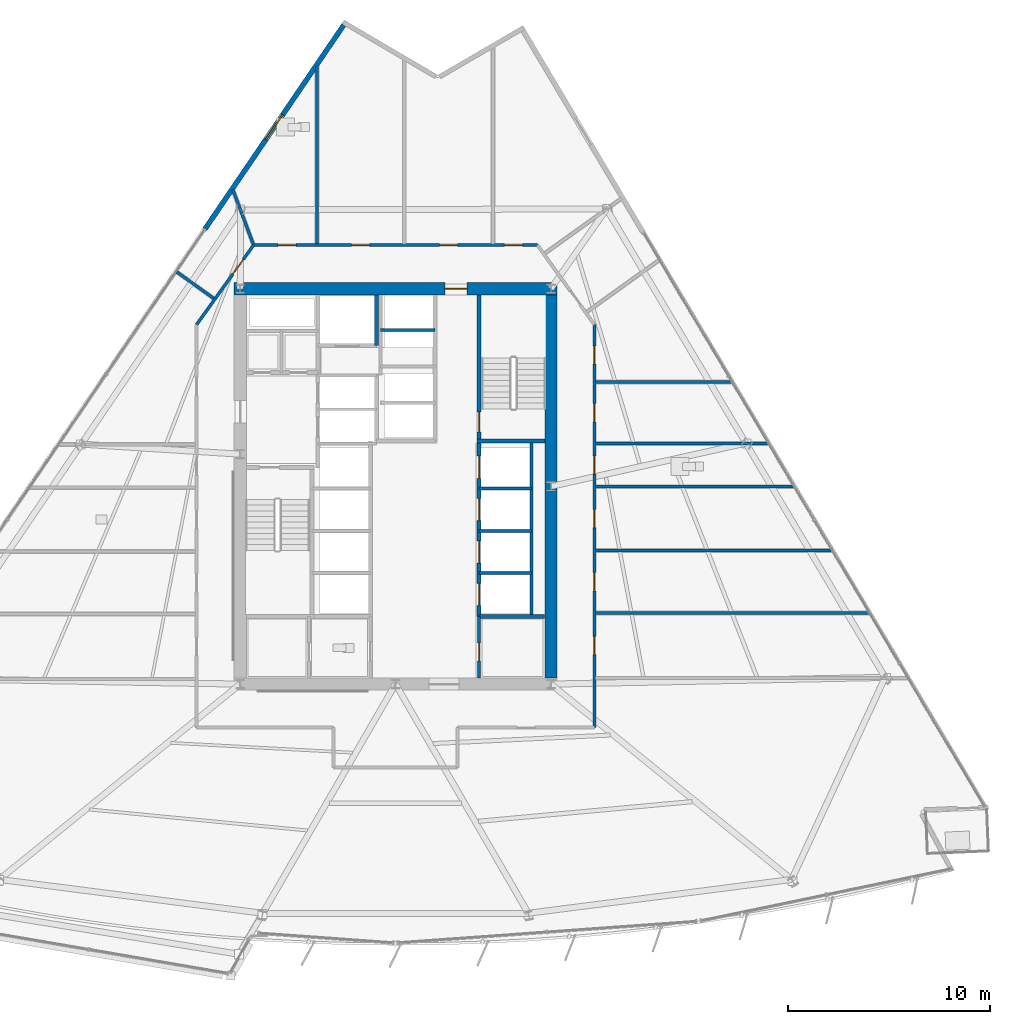
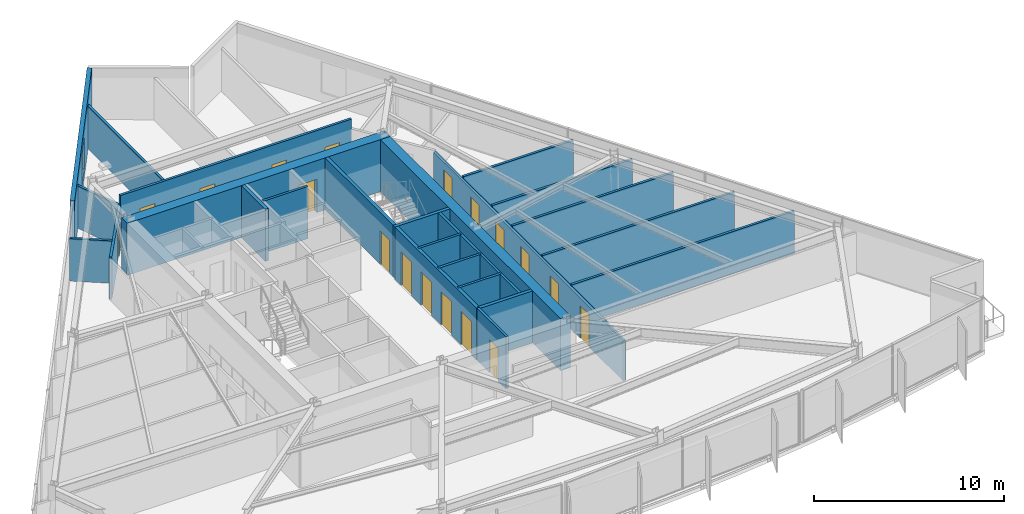
# One storey, part 10 of 17: 25 walls, 18 doors, 1 window, 19 openings.
"""IFC4 building model written with IfcOpenShell, lengths in metres."""

from ifc_helpers import new_model, si_unit, direction, frame, frame_2d, origin, place, context, subcontext, project, spatial, rectangle, extrude, material, layer, layer_set, type_object, element, fill, save


model = new_model("IFC4")

# Units and contexts
model_context = context("Model", 3, precision=1e-05, world=origin(), true_north=direction((0.0, 1.0)))
body_context = subcontext(model_context, "Body", "Model", "MODEL_VIEW")
ifc_project = project(units=[si_unit("LENGTHUNIT", "METRE"), si_unit("AREAUNIT", "SQUARE_METRE"), si_unit("VOLUMEUNIT", "CUBIC_METRE"), si_unit("PLANEANGLEUNIT", "RADIAN"), si_unit("MASSUNIT", "GRAM", prefix="KILO")], contexts=[model_context])

# Site, building, storey
site_placement = place(None, origin())
site = spatial("IfcSite", under=ifc_project, at=site_placement, CompositionType="ELEMENT")
building_placement = place(site_placement, origin())
building = spatial("IfcBuilding", under=site, at=building_placement, Name="Savorim Split Tower", CompositionType="ELEMENT")
storey_placement = place(building_placement, frame((0.0, 0.0, 58.800048828125)))
storey = spatial("IfcBuildingStorey", under=building, at=storey_placement, Name="L15", CompositionType="ELEMENT", Elevation=58.800048828125)

# Wall, opening, door
ifc_material_1 = material(Name="Concrete C60/75", Category="concrete")
ifc_layer_1 = layer(ifc_material_1, 0.60009765625)
ifc_layer_set_1 = layer_set([ifc_layer_1], Name="WAL-COR-SH600")
wall_type_1 = type_object("IfcWallType", Name="WAL-COR-SH600", PredefinedType="SHEAR", material=ifc_layer_set_1)
wall_1_placement = place(storey_placement, frame((8.0, 10.199951171875, 0.0), z_axis=(0.0, 0.0, 1.0), x_axis=(-1.0, 0.0, 0.0)))
wall_1 = element("IfcWall", 1, at=wall_1_placement, inside=storey, type_object=wall_type_1, Name="L15 Offset Core North Shear Wall", PredefinedType="SHEAR", context=body_context, shape_type="SweptSolid", body=[
    extrude(rectangle(XDim=16.0, YDim=0.60009765625, at=frame_2d((8.0, 0.0))), origin(), (0.0, 0.0, 1.0), 3.349853515625),
])
opening_1_placement = place(wall_1_placement, frame((4.449951171875, 0.0, 0.0)))
opening_1 = element("IfcOpeningElement", 2, at=opening_1_placement, cuts=wall_1, Name="Opening DI-03", PredefinedType="OPENING", context=body_context, shape_type="SweptSolid", body=[
    extrude(rectangle(XDim=1.10009765625, YDim=2.14990234375, at=frame_2d((0.550048828125, 1.074951171875))), frame((0.0, 0.31005859375, 0.0), z_axis=(0.0, -1.0, 0.0), x_axis=(1.0, 0.0, 0.0)), (0.0, 0.0, 1.0), 0.6201171875),
])
ifc_material_2 = material(Name="Timber Fire Door Leaf", Category="wood")
door_type_1 = type_object("IfcDoorType", Name="DOR-FIR-1100", OperationType="NOTDEFINED", PredefinedType="DOOR", material=ifc_material_2)
door_1_placement = place(opening_1_placement, origin())
door_1 = element("IfcDoor", 3, at=door_1_placement, inside=storey, type_object=door_type_1, Name="DOR-L15-COR-NLOB - L15 North Corridor Lobby Fire Door", OperationType="SINGLE_SWING_RIGHT", OverallHeight=2.14990234375, OverallWidth=1.10009765625, PredefinedType="DOOR", context=body_context, shape_type="SweptSolid", body=[
    extrude(rectangle(XDim=1.10009765625, YDim=2.14990234375, at=frame_2d((0.550048828125, 1.074951171875))), frame((0.0, 0.02490234375, 0.0), z_axis=(0.0, -1.0, 0.0), x_axis=(1.0, 0.0, 0.0)), (0.0, 0.0, 1.0), 0.050048828125),
])
fill(opening_1, door_1)

# Wall
wall_2_placement = place(storey_placement, frame((7.699951171875, 9.89990234375, 0.0), z_axis=(0.0, 0.0, 1.0), x_axis=(0.0, -1.0, 0.0)))
element("IfcWall", 4, at=wall_2_placement, inside=storey, type_object=wall_type_1, Name="L15 Offset Core East Shear Wall", PredefinedType="SHEAR", context=body_context, shape_type="SweptSolid", body=[
    extrude(rectangle(XDim=19.0, YDim=0.60009765625, at=frame_2d((9.5, 0.0))), origin(), (0.0, 0.0, 1.0), 3.349853515625),
])

# Wall, opening, window
ifc_material_3 = material(Name="Precast concrete C40/50", Category="concrete")
ifc_layer_2 = layer(ifc_material_3, 0.25)
ifc_layer_set_2 = layer_set([ifc_layer_2], Name="WAL-EXT-SPN250")
wall_type_2 = type_object("IfcWallType", Name="WAL-EXT-SPN250", PredefinedType="SOLIDWALL", material=ifc_layer_set_2)
wall_3_placement = place(storey_placement, frame((-9.45068359375, 13.163330078125, 0.0), z_axis=(0.0, 0.0, 1.0), x_axis=(0.562478152622, 0.826812147844, 0.0)))
wall_3 = element("IfcWall", 5, at=wall_3_placement, inside=storey, type_object=wall_type_2, Name="L15 West Operable Window Pier", PredefinedType="SOLIDWALL", context=body_context, shape_type="SweptSolid", body=[
    extrude(rectangle(XDim=12.232177734375, YDim=0.25, at=frame_2d((6.1162109375, 0.0))), origin(), (0.0, 0.0, 1.0), 3.349853515625),
])
opening_2_placement = place(wall_3_placement, frame((5.3662109375, 0.0, 0.6201171875)))
opening_2 = element("IfcOpeningElement", 6, at=opening_2_placement, cuts=wall_3, Name="Opening WN-06", PredefinedType="OPENING", context=body_context, shape_type="SweptSolid", body=[
    extrude(rectangle(XDim=1.5, YDim=2.0, at=frame_2d((0.75, 1.0))), frame((0.0, 0.135009765625, 0.0), z_axis=(0.0, -1.0, 0.0), x_axis=(1.0, 0.0, 0.0)), (0.0, 0.0, 1.0), 0.27001953125),
])
ifc_material_4 = material(Name="Low-E Operable Double Glazing", Category="glass")
window_type = type_object("IfcWindowType", Name="WIN-TWR-1500x2000", PartitioningType="SINGLE_PANEL", PredefinedType="WINDOW", material=ifc_material_4)
window_placement = place(opening_2_placement, origin())
window = element("IfcWindow", 7, at=window_placement, inside=storey, type_object=window_type, Name="L15 West Operable Ventilation Window", OverallHeight=2.0, OverallWidth=1.5, PartitioningType="SINGLE_PANEL", PredefinedType="WINDOW", context=body_context, shape_type="SweptSolid", body=[
    extrude(rectangle(XDim=1.5, YDim=2.0, at=frame_2d((0.75, 1.0))), frame((0.0, 0.030029296875, 0.0), z_axis=(0.0, -1.0, 0.0), x_axis=(1.0, 0.0, 0.0)), (0.0, 0.0, 1.0), 0.06005859375),
])
fill(opening_2, window)

# Wall, opening, door
ifc_material_5 = material(Name="Concrete C50/60", Category="concrete")
ifc_layer_3 = layer(ifc_material_5, 0.199951171875)
ifc_layer_set_3 = layer_set([ifc_layer_3], Name="WAL-INT-RC200")
wall_type_3 = type_object("IfcWallType", Name="WAL-INT-RC200", PredefinedType="SOLIDWALL", material=ifc_layer_set_3)
wall_4_placement = place(storey_placement, frame((4.14990234375, 2.75, 0.0), z_axis=(0.0, 0.0, 1.0), x_axis=(0.0, 1.0, 0.0)))
wall_4 = element("IfcWall", 8, at=wall_4_placement, inside=storey, type_object=wall_type_3, Name="L15 Structural Shaft Wall W-L15-CR07", PredefinedType="SOLIDWALL", context=body_context, shape_type="SweptSolid", body=[
    extrude(rectangle(XDim=7.14990234375, YDim=0.199951171875, at=frame_2d((3.574951171875, 0.0))), origin(), (0.0, 0.0, 1.0), 3.349853515625),
])
opening_3_placement = place(wall_4_placement, frame((0.35009765625, 0.0, 0.0)))
opening_3 = element("IfcOpeningElement", 9, at=opening_3_placement, cuts=wall_4, Name="Opening DI-04", PredefinedType="OPENING", context=body_context, shape_type="SweptSolid", body=[
    extrude(rectangle(XDim=1.0, YDim=2.14990234375, at=frame_2d((0.5, 1.074951171875))), frame((0.0, 0.10986328125, 0.0), z_axis=(0.0, -1.0, 0.0), x_axis=(1.0, 0.0, 0.0)), (0.0, 0.0, 1.0), 0.219970703125),
])
door_type_2 = type_object("IfcDoorType", Name="DOR-FIR-1000", OperationType="NOTDEFINED", PredefinedType="DOOR", material=ifc_material_2)
door_2_placement = place(opening_3_placement, origin())
door_2 = element("IfcDoor", 10, at=door_2_placement, inside=storey, type_object=door_type_2, Name="DR-L15-ST2 - L15 Stair ST-2 Enclosure Door", OperationType="SINGLE_SWING_RIGHT", OverallHeight=2.14990234375, OverallWidth=1.0, PredefinedType="DOOR", context=body_context, shape_type="SweptSolid", body=[
    extrude(rectangle(XDim=1.0, YDim=2.14990234375, at=frame_2d((0.5, 1.074951171875))), frame((0.0, 0.02490234375, 0.0), z_axis=(0.0, -1.0, 0.0), x_axis=(1.0, 0.0, 0.0)), (0.0, 0.0, 1.0), 0.050048828125),
])
fill(opening_3, door_2)

# Walls
wall_5_placement = place(storey_placement, frame((4.050048828125, 2.64990234375, 0.0), z_axis=(0.0, 0.0, 1.0), x_axis=(1.0, 0.0, 0.0)))
element("IfcWall", 11, at=wall_5_placement, inside=storey, type_object=wall_type_3, Name="L15 Structural Shaft Wall W-L15-CR08", PredefinedType="SOLIDWALL", context=body_context, shape_type="SweptSolid", body=[
    extrude(rectangle(XDim=3.349853515625, YDim=0.199951171875, at=frame_2d((1.6748046875, 0.0))), origin(), (0.0, 0.0, 1.0), 3.349853515625),
])
wall_6_placement = place(storey_placement, frame((-0.949951171875, 7.3798828125, 0.0), z_axis=(0.0, 0.0, 1.0), x_axis=(0.0, 1.0, 0.0)))
element("IfcWall", 12, at=wall_6_placement, inside=storey, type_object=wall_type_3, Name="L15 Partition W-L15-SVLE", PredefinedType="SOLIDWALL", context=body_context, shape_type="SweptSolid", body=[
    extrude(rectangle(XDim=2.51513671875, YDim=0.199951171875, at=frame_2d((1.257568359375, 0.0))), origin(), (0.0, 0.0, 1.0), 3.349853515625),
])

# Wall, openings, doors
wall_7_placement = place(storey_placement, frame((4.14990234375, -6.050048828125, 0.0), z_axis=(0.0, 0.0, 1.0), x_axis=(0.0, 1.0, 0.0)))
wall_7 = element("IfcWall", 13, at=wall_7_placement, inside=storey, type_object=wall_type_3, Name="L15 Partition W-L15-B1FRONT", PredefinedType="SOLIDWALL", context=body_context, shape_type="SweptSolid", body=[
    extrude(rectangle(XDim=8.699951171875, YDim=0.199951171875, at=frame_2d((4.35009765625, 0.0))), origin(), (0.0, 0.0, 1.0), 3.349853515625),
])
opening_4_placement = place(wall_7_placement, frame((0.550048828125, 0.0, 0.0)))
opening_4 = element("IfcOpeningElement", 14, at=opening_4_placement, cuts=wall_7, Name="Opening LD-01", PredefinedType="OPENING", context=body_context, shape_type="SweptSolid", body=[
    extrude(rectangle(XDim=1.10009765625, YDim=2.14990234375, at=frame_2d((0.550048828125, 1.074951171875))), frame((0.0, 0.10986328125, 0.0), z_axis=(0.0, -1.0, 0.0), x_axis=(1.0, 0.0, 0.0)), (0.0, 0.0, 1.0), 0.219970703125),
])
opening_5_placement = place(wall_7_placement, frame((2.64990234375, 0.0, 0.0)))
opening_5 = element("IfcOpeningElement", 15, at=opening_5_placement, cuts=wall_7, Name="Opening LD-01", PredefinedType="OPENING", context=body_context, shape_type="SweptSolid", body=[
    extrude(rectangle(XDim=1.10009765625, YDim=2.14990234375, at=frame_2d((0.550048828125, 1.074951171875))), frame((0.0, 0.10986328125, 0.0), z_axis=(0.0, -1.0, 0.0), x_axis=(1.0, 0.0, 0.0)), (0.0, 0.0, 1.0), 0.219970703125),
])
opening_6_placement = place(wall_7_placement, frame((4.75, 0.0, 0.0)))
opening_6 = element("IfcOpeningElement", 16, at=opening_6_placement, cuts=wall_7, Name="Opening LD-01", PredefinedType="OPENING", context=body_context, shape_type="SweptSolid", body=[
    extrude(rectangle(XDim=1.10009765625, YDim=2.14990234375, at=frame_2d((0.550048828125, 1.074951171875))), frame((0.0, 0.10986328125, 0.0), z_axis=(0.0, -1.0, 0.0), x_axis=(1.0, 0.0, 0.0)), (0.0, 0.0, 1.0), 0.219970703125),
])
opening_7_placement = place(wall_7_placement, frame((6.85009765625, 0.0, 0.0)))
opening_7 = element("IfcOpeningElement", 17, at=opening_7_placement, cuts=wall_7, Name="Opening LD-01", PredefinedType="OPENING", context=body_context, shape_type="SweptSolid", body=[
    extrude(rectangle(XDim=1.10009765625, YDim=2.14990234375, at=frame_2d((0.550048828125, 1.074951171875))), frame((0.0, 0.10986328125, 0.0), z_axis=(0.0, -1.0, 0.0), x_axis=(1.0, 0.0, 0.0)), (0.0, 0.0, 1.0), 0.219970703125),
])
ifc_material_6 = material(Name="Charcoal Anodised Aluminium", Category="aluminium")
door_type_3 = type_object("IfcDoorType", Name="DOR-SLD-LD1100", OperationType="NOTDEFINED", PredefinedType="DOOR", material=ifc_material_6)
door_3_placement = place(opening_4_placement, origin())
door_3 = element("IfcDoor", 18, at=door_3_placement, inside=storey, type_object=door_type_3, Name="DR-L15-LD-PLL1 - L15 Lift PL-L1 Sliding Landing Door", OperationType="DOUBLE_DOOR_SLIDING", OverallHeight=2.14990234375, OverallWidth=1.10009765625, PredefinedType="DOOR", context=body_context, shape_type="SweptSolid", body=[
    extrude(rectangle(XDim=1.10009765625, YDim=2.14990234375, at=frame_2d((0.550048828125, 1.074951171875))), frame((0.0, 0.02490234375, 0.0), z_axis=(0.0, -1.0, 0.0), x_axis=(1.0, 0.0, 0.0)), (0.0, 0.0, 1.0), 0.050048828125),
])
fill(opening_4, door_3)
door_4_placement = place(opening_5_placement, origin())
door_4 = element("IfcDoor", 19, at=door_4_placement, inside=storey, type_object=door_type_3, Name="DR-L15-LD-PLL2 - L15 Lift PL-L2 Sliding Landing Door", OperationType="DOUBLE_DOOR_SLIDING", OverallHeight=2.14990234375, OverallWidth=1.10009765625, PredefinedType="DOOR", context=body_context, shape_type="SweptSolid", body=[
    extrude(rectangle(XDim=1.10009765625, YDim=2.14990234375, at=frame_2d((0.550048828125, 1.074951171875))), frame((0.0, 0.02490234375, 0.0), z_axis=(0.0, -1.0, 0.0), x_axis=(1.0, 0.0, 0.0)), (0.0, 0.0, 1.0), 0.050048828125),
])
fill(opening_5, door_4)
door_5_placement = place(opening_6_placement, origin())
door_5 = element("IfcDoor", 20, at=door_5_placement, inside=storey, type_object=door_type_3, Name="DR-L15-LD-PLL3 - L15 Lift PL-L3 Sliding Landing Door", OperationType="DOUBLE_DOOR_SLIDING", OverallHeight=2.14990234375, OverallWidth=1.10009765625, PredefinedType="DOOR", context=body_context, shape_type="SweptSolid", body=[
    extrude(rectangle(XDim=1.10009765625, YDim=2.14990234375, at=frame_2d((0.550048828125, 1.074951171875))), frame((0.0, 0.02490234375, 0.0), z_axis=(0.0, -1.0, 0.0), x_axis=(1.0, 0.0, 0.0)), (0.0, 0.0, 1.0), 0.050048828125),
])
fill(opening_6, door_5)
door_6_placement = place(opening_7_placement, origin())
door_6 = element("IfcDoor", 21, at=door_6_placement, inside=storey, type_object=door_type_3, Name="DR-L15-LD-PLL4 - L15 Lift PL-L4 Sliding Landing Door", OperationType="DOUBLE_DOOR_SLIDING", OverallHeight=2.14990234375, OverallWidth=1.10009765625, PredefinedType="DOOR", context=body_context, shape_type="SweptSolid", body=[
    extrude(rectangle(XDim=1.10009765625, YDim=2.14990234375, at=frame_2d((0.550048828125, 1.074951171875))), frame((0.0, 0.02490234375, 0.0), z_axis=(0.0, -1.0, 0.0), x_axis=(1.0, 0.0, 0.0)), (0.0, 0.0, 1.0), 0.050048828125),
])
fill(opening_7, door_6)

# Walls
wall_8_placement = place(storey_placement, frame((4.14990234375, -6.050048828125, 0.0), z_axis=(0.0, 0.0, 1.0), x_axis=(1.0, 0.0, 0.0)))
element("IfcWall", 22, at=wall_8_placement, inside=storey, type_object=wall_type_3, Name="L15 Partition W-L15-KSEP-E", PredefinedType="SOLIDWALL", context=body_context, shape_type="SweptSolid", body=[
    extrude(rectangle(XDim=3.2451171875, YDim=0.199951171875, at=frame_2d((1.62255859375, 0.0))), origin(), (0.0, 0.0, 1.0), 3.349853515625),
])
ifc_material_7 = material(Name="Acoustic Gypsum Partition Board")
ifc_layer_4 = layer(ifc_material_7, 0.14990234375)
ifc_layer_set_4 = layer_set([ifc_layer_4], Name="WAL-PAR-150")
wall_type_4 = type_object("IfcWallType", Name="WAL-PAR-150", PredefinedType="PARTITIONING", material=ifc_layer_set_4)
wall_9_placement = place(storey_placement, frame((6.75, -6.050048828125, 0.0), z_axis=(0.0, 0.0, 1.0), x_axis=(0.0, 1.0, 0.0)))
element("IfcWall", 23, at=wall_9_placement, inside=storey, type_object=wall_type_4, Name="L15 Partition W-L15-B1BACK", PredefinedType="PARTITIONING", context=body_context, shape_type="SweptSolid", body=[
    extrude(rectangle(XDim=8.699951171875, YDim=0.14990234375, at=frame_2d((4.35009765625, 0.0))), origin(), (0.0, 0.0, 1.0), 3.349853515625),
])
for number, where, z_axis, x_axis, name in (
    (24, (4.14990234375, -3.89990234375, 0.0), (0.0, 0.0, 1.0), (1.0, 0.0, 0.0), "L15 Partition W-L15-B1DIV1"),
    (25, (4.14990234375, -1.800048828125, 0.0), (0.0, 0.0, 1.0), (1.0, 0.0, 0.0), "L15 Partition W-L15-B1DIV2"),
    (26, (4.14990234375, 0.300048828125, 0.0), (0.0, 0.0, 1.0), (1.0, 0.0, 0.0), "L15 Partition W-L15-B1DIV3"),
):
    element("IfcWall", number, at=place(storey_placement, frame(where, z_axis=z_axis, x_axis=x_axis)), inside=storey, type_object=wall_type_4, Name=name, PredefinedType="PARTITIONING", context=body_context, shape_type="SweptSolid", body=[
        extrude(rectangle(XDim=2.60009765625, YDim=0.14990234375, at=frame_2d((1.300048828125, 0.0))), origin(), (0.0, 0.0, 1.0), 3.349853515625),
    ])
wall_10_placement = place(storey_placement, frame((-0.75, 8.14990234375, 0.0), z_axis=(0.0, 0.0, 1.0), x_axis=(1.0, 0.0, 0.0)))
element("IfcWall", 27, at=wall_10_placement, inside=storey, type_object=wall_type_4, Name="L15 Partition W-L15-B3DIV3", PredefinedType="PARTITIONING", context=body_context, shape_type="SweptSolid", body=[
    extrude(rectangle(XDim=2.699951171875, YDim=0.14990234375, at=frame_2d((1.35009765625, 0.0))), origin(), (0.0, 0.0, 1.0), 3.349853515625),
])

# Wall, opening, door
wall_11_placement = place(storey_placement, frame((4.14990234375, -9.094970703125, 0.0), z_axis=(0.0, 0.0, 1.0), x_axis=(0.0, 1.0, 0.0)))
wall_11 = element("IfcWall", 28, at=wall_11_placement, inside=storey, type_object=wall_type_4, Name="L15 Partition W-L15-KLOB-E", PredefinedType="PARTITIONING", context=body_context, shape_type="SweptSolid", body=[
    extrude(rectangle(XDim=3.044921875, YDim=0.14990234375, at=frame_2d((1.5224609375, 0.0))), origin(), (0.0, 0.0, 1.0), 3.349853515625),
])
opening_8_placement = place(wall_11_placement, frame((0.844970703125, 0.0, 0.0)))
opening_8 = element("IfcOpeningElement", 29, at=opening_8_placement, cuts=wall_11, Name="Opening DI-06", PredefinedType="OPENING", context=body_context, shape_type="SweptSolid", body=[
    extrude(rectangle(XDim=0.89990234375, YDim=2.10009765625, at=frame_2d((0.449951171875, 1.050048828125))), frame((0.0, 0.0849609375, 0.0), z_axis=(0.0, -1.0, 0.0), x_axis=(1.0, 0.0, 0.0)), (0.0, 0.0, 1.0), 0.169921875),
])
door_type_4 = type_object("IfcDoorType", Name="DOR-FIR-900", OperationType="NOTDEFINED", PredefinedType="DOOR", material=ifc_material_2)
door_7_placement = place(opening_8_placement, origin())
door_7 = element("IfcDoor", 30, at=door_7_placement, inside=storey, type_object=door_type_4, Name="DR-L15-K1IT - L15 Core IT Room Door", OperationType="SINGLE_SWING_LEFT", OverallHeight=2.10009765625, OverallWidth=0.89990234375, PredefinedType="DOOR", context=body_context, shape_type="SweptSolid", body=[
    extrude(rectangle(XDim=0.89990234375, YDim=2.10009765625, at=frame_2d((0.449951171875, 1.050048828125))), frame((0.0, 0.02490234375, 0.0), z_axis=(0.0, -1.0, 0.0), x_axis=(1.0, 0.0, 0.0)), (0.0, 0.0, 1.0), 0.050048828125),
])
fill(opening_8, door_7)

wall_12_placement = place(storey_placement, frame((-9.860107421875, 8.42578125, 0.0), z_axis=(0.0, 0.0, 1.0), x_axis=(0.582449511476, 0.812866881218, 0.0)))
wall_12 = element("IfcWall", 31, at=wall_12_placement, inside=storey, type_object=wall_type_4, Name="L15 Partition W-L15-COR-02", PredefinedType="PARTITIONING", context=body_context, shape_type="SweptSolid", body=[
    extrude(rectangle(XDim=4.840087890625, YDim=0.14990234375, at=frame_2d((2.419921875, 0.0))), origin(), (0.0, 0.0, 1.0), 2.724853515625),
])
opening_9_placement = place(wall_12_placement, frame((3.074462890625, 0.0, 0.0)))
opening_9 = element("IfcOpeningElement", 32, at=opening_9_placement, cuts=wall_12, Name="Opening DI-06", PredefinedType="OPENING", context=body_context, shape_type="SweptSolid", body=[
    extrude(rectangle(XDim=0.89990234375, YDim=2.10009765625, at=frame_2d((0.449951171875, 1.050048828125))), frame((0.0, 0.0849609375, 0.0), z_axis=(0.0, -1.0, 0.0), x_axis=(1.0, 0.0, 0.0)), (0.0, 0.0, 1.0), 0.169921875),
])
door_8_placement = place(opening_9_placement, origin())
door_8 = element("IfcDoor", 33, at=door_8_placement, inside=storey, type_object=door_type_4, Name="DR-L15-RM16 - L15 Co-Working Commons Entry Door", OperationType="SINGLE_SWING_LEFT", OverallHeight=2.10009765625, OverallWidth=0.89990234375, PredefinedType="DOOR", context=body_context, shape_type="SweptSolid", body=[
    extrude(rectangle(XDim=0.89990234375, YDim=2.10009765625, at=frame_2d((0.449951171875, 1.050048828125))), frame((0.0, 0.02490234375, 0.0), z_axis=(0.0, -1.0, 0.0), x_axis=(1.0, 0.0, 0.0)), (0.0, 0.0, 1.0), 0.050048828125),
])
fill(opening_9, door_8)

# Wall, openings, doors
wall_13_placement = place(storey_placement, frame((-7.041015625, 12.360107421875, 0.0), z_axis=(0.0, 0.0, 1.0), x_axis=(1.0, 0.0, 0.0)))
wall_13 = element("IfcWall", 34, at=wall_13_placement, inside=storey, type_object=wall_type_4, Name="L15 Partition W-L15-COR-03", PredefinedType="PARTITIONING", context=body_context, shape_type="SweptSolid", body=[
    extrude(rectangle(XDim=14.08203125, YDim=0.14990234375, at=frame_2d((7.041015625, 0.0))), origin(), (0.0, 0.0, 1.0), 3.349853515625),
])
opening_10_placement = place(wall_13_placement, frame((12.440673828125, 0.0, 0.0)))
opening_10 = element("IfcOpeningElement", 35, at=opening_10_placement, cuts=wall_13, Name="Opening DI-06", PredefinedType="OPENING", context=body_context, shape_type="SweptSolid", body=[
    extrude(rectangle(XDim=0.89990234375, YDim=2.10009765625, at=frame_2d((0.449951171875, 1.050048828125))), frame((0.0, 0.0849609375, 0.0), z_axis=(0.0, -1.0, 0.0), x_axis=(1.0, 0.0, 0.0)), (0.0, 0.0, 1.0), 0.169921875),
])
opening_11_placement = place(wall_13_placement, frame((9.2255859375, 0.0, 0.0)))
opening_11 = element("IfcOpeningElement", 36, at=opening_11_placement, cuts=wall_13, Name="Opening DI-06", PredefinedType="OPENING", context=body_context, shape_type="SweptSolid", body=[
    extrude(rectangle(XDim=0.89990234375, YDim=2.10009765625, at=frame_2d((0.449951171875, 1.050048828125))), frame((0.0, 0.0849609375, 0.0), z_axis=(0.0, -1.0, 0.0), x_axis=(1.0, 0.0, 0.0)), (0.0, 0.0, 1.0), 0.169921875),
])
opening_12_placement = place(wall_13_placement, frame((4.86181640625, 0.0, 0.0)))
opening_12 = element("IfcOpeningElement", 37, at=opening_12_placement, cuts=wall_13, Name="Opening DI-06", PredefinedType="OPENING", context=body_context, shape_type="SweptSolid", body=[
    extrude(rectangle(XDim=0.89990234375, YDim=2.10009765625, at=frame_2d((0.449951171875, 1.050048828125))), frame((0.0, 0.0849609375, 0.0), z_axis=(0.0, -1.0, 0.0), x_axis=(1.0, 0.0, 0.0)), (0.0, 0.0, 1.0), 0.169921875),
])
opening_13_placement = place(wall_13_placement, frame((1.214111328125, 0.0, 0.0)))
opening_13 = element("IfcOpeningElement", 38, at=opening_13_placement, cuts=wall_13, Name="Opening DI-11", PredefinedType="OPENING", context=body_context, shape_type="SweptSolid", body=[
    extrude(rectangle(XDim=0.89990234375, YDim=2.10009765625, at=frame_2d((0.449951171875, 1.050048828125))), frame((0.0, 0.0849609375, 0.0), z_axis=(0.0, -1.0, 0.0), x_axis=(1.0, 0.0, 0.0)), (0.0, 0.0, 1.0), 0.169921875),
])
door_9_placement = place(opening_10_placement, origin())
door_9 = element("IfcDoor", 39, at=door_9_placement, inside=storey, type_object=door_type_4, Name="DR-L15-RM12 - L15 Maker Workshop Entry Door", OperationType="SINGLE_SWING_LEFT", OverallHeight=2.10009765625, OverallWidth=0.89990234375, PredefinedType="DOOR", context=body_context, shape_type="SweptSolid", body=[
    extrude(rectangle(XDim=0.89990234375, YDim=2.10009765625, at=frame_2d((0.449951171875, 1.050048828125))), frame((0.0, 0.02490234375, 0.0), z_axis=(0.0, -1.0, 0.0), x_axis=(1.0, 0.0, 0.0)), (0.0, 0.0, 1.0), 0.050048828125),
])
fill(opening_10, door_9)
door_10_placement = place(opening_11_placement, origin())
door_10 = element("IfcDoor", 40, at=door_10_placement, inside=storey, type_object=door_type_4, Name="DR-L15-RM13 - L15 Quiet Study Room Entry Door", OperationType="SINGLE_SWING_RIGHT", OverallHeight=2.10009765625, OverallWidth=0.89990234375, PredefinedType="DOOR", context=body_context, shape_type="SweptSolid", body=[
    extrude(rectangle(XDim=0.89990234375, YDim=2.10009765625, at=frame_2d((0.449951171875, 1.050048828125))), frame((0.0, 0.02490234375, 0.0), z_axis=(0.0, -1.0, 0.0), x_axis=(1.0, 0.0, 0.0)), (0.0, 0.0, 1.0), 0.050048828125),
])
fill(opening_11, door_10)
door_11_placement = place(opening_12_placement, origin())
door_11 = element("IfcDoor", 41, at=door_11_placement, inside=storey, type_object=door_type_4, Name="DR-L15-RM14 - L15 Maker Workshop Entry Door", OperationType="SINGLE_SWING_LEFT", OverallHeight=2.10009765625, OverallWidth=0.89990234375, PredefinedType="DOOR", context=body_context, shape_type="SweptSolid", body=[
    extrude(rectangle(XDim=0.89990234375, YDim=2.10009765625, at=frame_2d((0.449951171875, 1.050048828125))), frame((0.0, 0.02490234375, 0.0), z_axis=(0.0, -1.0, 0.0), x_axis=(1.0, 0.0, 0.0)), (0.0, 0.0, 1.0), 0.050048828125),
])
fill(opening_12, door_11)
ifc_material_8 = material(Name="Oak Veneer Acoustic Door")
door_type_5 = type_object("IfcDoorType", Name="DOR-WC-900", OperationType="NOTDEFINED", PredefinedType="DOOR", material=ifc_material_8)
door_12_placement = place(opening_13_placement, origin())
door_12 = element("IfcDoor", 42, at=door_12_placement, inside=storey, type_object=door_type_5, Name="DR-L15-RM15 - L15 Shared Bathroom Entry Door", OperationType="SINGLE_SWING_RIGHT", OverallHeight=2.10009765625, OverallWidth=0.89990234375, PredefinedType="DOOR", context=body_context, shape_type="SweptSolid", body=[
    extrude(rectangle(XDim=0.89990234375, YDim=2.10009765625, at=frame_2d((0.449951171875, 1.050048828125))), frame((0.0, 0.02490234375, 0.0), z_axis=(0.0, -1.0, 0.0), x_axis=(1.0, 0.0, 0.0)), (0.0, 0.0, 1.0), 0.050048828125),
])
fill(opening_13, door_12)

wall_14_placement = place(storey_placement, frame((9.860107421875, 8.42578125, 0.0), z_axis=(0.0, 0.0, 1.0), x_axis=(0.0, -1.0, 0.0)))
wall_14 = element("IfcWall", 43, at=wall_14_placement, inside=storey, type_object=wall_type_4, Name="L15 Partition W-L15-COR-05", PredefinedType="PARTITIONING", context=body_context, shape_type="SweptSolid", body=[
    extrude(rectangle(XDim=19.98583984375, YDim=0.14990234375, at=frame_2d((9.992919921875, 0.0))), origin(), (0.0, 0.0, 1.0), 2.60888671875),
])
opening_14_placement = place(wall_14_placement, frame((15.464111328125, 0.0, 0.0)))
opening_14 = element("IfcOpeningElement", 44, at=opening_14_placement, cuts=wall_14, Name="Opening DI-06", PredefinedType="OPENING", context=body_context, shape_type="SweptSolid", body=[
    extrude(rectangle(XDim=0.89990234375, YDim=2.10009765625, at=frame_2d((0.449951171875, 1.050048828125))), frame((0.0, 0.0849609375, 0.0), z_axis=(0.0, -1.0, 0.0), x_axis=(1.0, 0.0, 0.0)), (0.0, 0.0, 1.0), 0.169921875),
])
opening_15_placement = place(wall_14_placement, frame((12.29931640625, 0.0, 0.0)))
opening_15 = element("IfcOpeningElement", 45, at=opening_15_placement, cuts=wall_14, Name="Opening DI-06", PredefinedType="OPENING", context=body_context, shape_type="SweptSolid", body=[
    extrude(rectangle(XDim=0.89990234375, YDim=2.10009765625, at=frame_2d((0.449951171875, 1.050048828125))), frame((0.0, 0.0849609375, 0.0), z_axis=(0.0, -1.0, 0.0), x_axis=(1.0, 0.0, 0.0)), (0.0, 0.0, 1.0), 0.169921875),
])
opening_16_placement = place(wall_14_placement, frame((9.170166015625, 0.0, 0.0)))
opening_16 = element("IfcOpeningElement", 46, at=opening_16_placement, cuts=wall_14, Name="Opening DI-06", PredefinedType="OPENING", context=body_context, shape_type="SweptSolid", body=[
    extrude(rectangle(XDim=0.89990234375, YDim=2.10009765625, at=frame_2d((0.449951171875, 1.050048828125))), frame((0.0, 0.0849609375, 0.0), z_axis=(0.0, -1.0, 0.0), x_axis=(1.0, 0.0, 0.0)), (0.0, 0.0, 1.0), 0.169921875),
])
opening_17_placement = place(wall_14_placement, frame((6.517578125, 0.0, 0.0)))
opening_17 = element("IfcOpeningElement", 47, at=opening_17_placement, cuts=wall_14, Name="Opening DI-11", PredefinedType="OPENING", context=body_context, shape_type="SweptSolid", body=[
    extrude(rectangle(XDim=0.89990234375, YDim=2.10009765625, at=frame_2d((0.449951171875, 1.050048828125))), frame((0.0, 0.0849609375, 0.0), z_axis=(0.0, -1.0, 0.0), x_axis=(1.0, 0.0, 0.0)), (0.0, 0.0, 1.0), 0.169921875),
])
opening_18_placement = place(wall_14_placement, frame((3.919921875, 0.0, 0.0)))
opening_18 = element("IfcOpeningElement", 48, at=opening_18_placement, cuts=wall_14, Name="Opening DI-06", PredefinedType="OPENING", context=body_context, shape_type="SweptSolid", body=[
    extrude(rectangle(XDim=0.89990234375, YDim=2.10009765625, at=frame_2d((0.449951171875, 1.050048828125))), frame((0.0, 0.0849609375, 0.0), z_axis=(0.0, -1.0, 0.0), x_axis=(1.0, 0.0, 0.0)), (0.0, 0.0, 1.0), 0.169921875),
])
opening_19_placement = place(wall_14_placement, frame((1.060791015625, 0.0, 0.0)))
opening_19 = element("IfcOpeningElement", 49, at=opening_19_placement, cuts=wall_14, Name="Opening DI-06", PredefinedType="OPENING", context=body_context, shape_type="SweptSolid", body=[
    extrude(rectangle(XDim=0.89990234375, YDim=2.10009765625, at=frame_2d((0.449951171875, 1.050048828125))), frame((0.0, 0.0849609375, 0.0), z_axis=(0.0, -1.0, 0.0), x_axis=(1.0, 0.0, 0.0)), (0.0, 0.0, 1.0), 0.169921875),
])
door_13_placement = place(opening_14_placement, origin())
door_13 = element("IfcDoor", 50, at=door_13_placement, inside=storey, type_object=door_type_4, Name="DR-L15-RM05 - L15 Maker Workshop Entry Door", OperationType="SINGLE_SWING_RIGHT", OverallHeight=2.10009765625, OverallWidth=0.89990234375, PredefinedType="DOOR", context=body_context, shape_type="SweptSolid", body=[
    extrude(rectangle(XDim=0.89990234375, YDim=2.10009765625, at=frame_2d((0.449951171875, 1.050048828125))), frame((0.0, 0.02490234375, 0.0), z_axis=(0.0, -1.0, 0.0), x_axis=(1.0, 0.0, 0.0)), (0.0, 0.0, 1.0), 0.050048828125),
])
fill(opening_14, door_13)
door_14_placement = place(opening_15_placement, origin())
door_14 = element("IfcDoor", 51, at=door_14_placement, inside=storey, type_object=door_type_4, Name="DR-L15-RM06 - L15 Maker Workshop Entry Door", OperationType="SINGLE_SWING_LEFT", OverallHeight=2.10009765625, OverallWidth=0.89990234375, PredefinedType="DOOR", context=body_context, shape_type="SweptSolid", body=[
    extrude(rectangle(XDim=0.89990234375, YDim=2.10009765625, at=frame_2d((0.449951171875, 1.050048828125))), frame((0.0, 0.02490234375, 0.0), z_axis=(0.0, -1.0, 0.0), x_axis=(1.0, 0.0, 0.0)), (0.0, 0.0, 1.0), 0.050048828125),
])
fill(opening_15, door_14)
door_15_placement = place(opening_16_placement, origin())
door_15 = element("IfcDoor", 52, at=door_15_placement, inside=storey, type_object=door_type_4, Name="DR-L15-RM07 - L15 Quiet Study Room Entry Door", OperationType="SINGLE_SWING_RIGHT", OverallHeight=2.10009765625, OverallWidth=0.89990234375, PredefinedType="DOOR", context=body_context, shape_type="SweptSolid", body=[
    extrude(rectangle(XDim=0.89990234375, YDim=2.10009765625, at=frame_2d((0.449951171875, 1.050048828125))), frame((0.0, 0.02490234375, 0.0), z_axis=(0.0, -1.0, 0.0), x_axis=(1.0, 0.0, 0.0)), (0.0, 0.0, 1.0), 0.050048828125),
])
fill(opening_16, door_15)
door_16_placement = place(opening_18_placement, origin())
door_16 = element("IfcDoor", 53, at=door_16_placement, inside=storey, type_object=door_type_4, Name="DR-L15-RM09 - L15 Maker Workshop Entry Door", OperationType="SINGLE_SWING_RIGHT", OverallHeight=2.10009765625, OverallWidth=0.89990234375, PredefinedType="DOOR", context=body_context, shape_type="SweptSolid", body=[
    extrude(rectangle(XDim=0.89990234375, YDim=2.10009765625, at=frame_2d((0.449951171875, 1.050048828125))), frame((0.0, 0.02490234375, 0.0), z_axis=(0.0, -1.0, 0.0), x_axis=(1.0, 0.0, 0.0)), (0.0, 0.0, 1.0), 0.050048828125),
])
fill(opening_18, door_16)
door_17_placement = place(opening_19_placement, origin())
door_17 = element("IfcDoor", 54, at=door_17_placement, inside=storey, type_object=door_type_4, Name="DR-L15-RM10 - L15 Co-Living Bedroom Entry Door", OperationType="SINGLE_SWING_LEFT", OverallHeight=2.10009765625, OverallWidth=0.89990234375, PredefinedType="DOOR", context=body_context, shape_type="SweptSolid", body=[
    extrude(rectangle(XDim=0.89990234375, YDim=2.10009765625, at=frame_2d((0.449951171875, 1.050048828125))), frame((0.0, 0.02490234375, 0.0), z_axis=(0.0, -1.0, 0.0), x_axis=(1.0, 0.0, 0.0)), (0.0, 0.0, 1.0), 0.050048828125),
])
fill(opening_19, door_17)
door_18_placement = place(opening_17_placement, origin())
door_18 = element("IfcDoor", 55, at=door_18_placement, inside=storey, type_object=door_type_5, Name="DR-L15-RM08 - L15 Shared Bathroom Entry Door", OperationType="SINGLE_SWING_LEFT", OverallHeight=2.10009765625, OverallWidth=0.89990234375, PredefinedType="DOOR", context=body_context, shape_type="SweptSolid", body=[
    extrude(rectangle(XDim=0.89990234375, YDim=2.10009765625, at=frame_2d((0.449951171875, 1.050048828125))), frame((0.0, 0.02490234375, 0.0), z_axis=(0.0, -1.0, 0.0), x_axis=(1.0, 0.0, 0.0)), (0.0, 0.0, 1.0), 0.050048828125),
])
fill(opening_17, door_18)

# Walls
wall_15_placement = place(storey_placement, frame((9.919921875, 2.52880859375, 0.0), z_axis=(0.0, 0.0, 1.0), x_axis=(1.0, 0.0, 0.0)))
element("IfcWall", 56, at=wall_15_placement, inside=storey, type_object=wall_type_4, Name="L15 Partition W-L15-PRAD06", PredefinedType="PARTITIONING", context=body_context, shape_type="SweptSolid", body=[
    extrude(rectangle(XDim=8.52587890625, YDim=0.14990234375, at=frame_2d((4.262939453125, 0.0))), origin(), (0.0, 0.0, 1.0), 2.73486328125),
])
wall_16_placement = place(storey_placement, frame((-7.0517578125, 12.409912109375, 0.0), z_axis=(0.0, 0.0, 1.0), x_axis=(-0.351271817971, 0.936273523015, 0.0)))
element("IfcWall", 57, at=wall_16_placement, inside=storey, type_object=wall_type_4, Name="L15 Partition W-L15-PRAD08", PredefinedType="PARTITIONING", context=body_context, shape_type="SweptSolid", body=[
    extrude(rectangle(XDim=2.885009765625, YDim=0.14990234375, at=frame_2d((1.4423828125, 0.0))), origin(), (0.0, 0.0, 1.0), 2.724853515625),
])
wall_17_placement = place(storey_placement, frame((9.919921875, -2.77685546875, 0.0), z_axis=(0.0, 0.0, 1.0), x_axis=(1.0, 0.0, 0.0)))
element("IfcWall", 58, at=wall_17_placement, inside=storey, type_object=wall_type_4, Name="L15 Partition W-L15-SUB02", PredefinedType="PARTITIONING", context=body_context, shape_type="SweptSolid", body=[
    extrude(rectangle(XDim=11.6806640625, YDim=0.14990234375, at=frame_2d((5.84033203125, 0.0))), origin(), (0.0, 0.0, 1.0), 2.73486328125),
])
wall_18_placement = place(storey_placement, frame((-9.007568359375, 9.718505859375, 0.0), z_axis=(0.0, 0.0, 1.0), x_axis=(-0.812920514328, 0.582374653797, 0.0)))
element("IfcWall", 59, at=wall_18_placement, inside=storey, type_object=wall_type_4, Name="L15 Partition W-L15-SUB05", PredefinedType="PARTITIONING", context=body_context, shape_type="SweptSolid", body=[
    extrude(rectangle(XDim=2.254638671875, YDim=0.14990234375, at=frame_2d((1.12744140625, 0.0))), origin(), (0.0, 0.0, 1.0), 2.73486328125),
])
wall_19_placement = place(storey_placement, frame((9.919921875, -5.87060546875, 0.0), z_axis=(0.0, 0.0, 1.0), x_axis=(1.0, 0.0, 0.0)))
element("IfcWall", 60, at=wall_19_placement, inside=storey, type_object=wall_type_4, Name="L15 Partition W-L15-SUB08", PredefinedType="PARTITIONING", context=body_context, shape_type="SweptSolid", body=[
    extrude(rectangle(XDim=13.520263671875, YDim=0.14990234375, at=frame_2d((6.76025390625, 0.0))), origin(), (0.0, 0.0, 1.0), 2.73486328125),
])
wall_20_placement = place(storey_placement, frame((9.919921875, 0.3876953125, 0.0), z_axis=(0.0, 0.0, 1.0), x_axis=(1.0, 0.0, 0.0)))
element("IfcWall", 61, at=wall_20_placement, inside=storey, type_object=wall_type_4, Name="L15 Partition W-L15-SUB09", PredefinedType="PARTITIONING", context=body_context, shape_type="SweptSolid", body=[
    extrude(rectangle(XDim=9.799072265625, YDim=0.14990234375, at=frame_2d((4.8994140625, 0.0))), origin(), (0.0, 0.0, 1.0), 2.73486328125),
])
wall_21_placement = place(storey_placement, frame((9.919921875, 5.582763671875, 0.0), z_axis=(0.0, 0.0, 1.0), x_axis=(1.0, 0.0, 0.0)))
element("IfcWall", 62, at=wall_21_placement, inside=storey, type_object=wall_type_4, Name="L15 Partition W-L15-SUB10", PredefinedType="PARTITIONING", context=body_context, shape_type="SweptSolid", body=[
    extrude(rectangle(XDim=6.7099609375, YDim=0.14990234375, at=frame_2d((3.35498046875, 0.0))), origin(), (0.0, 0.0, 1.0), 2.73486328125),
])
wall_22_placement = place(storey_placement, frame((-3.891357421875, 12.419921875, 0.0), z_axis=(0.0, 0.0, 1.0), x_axis=(0.0, 1.0, 0.0)))
element("IfcWall", 63, at=wall_22_placement, inside=storey, type_object=wall_type_4, Name="L15 Partition W-L15-SUB12", PredefinedType="PARTITIONING", context=body_context, shape_type="SweptSolid", body=[
    extrude(rectangle(XDim=8.82666015625, YDim=0.14990234375, at=frame_2d((4.413330078125, 0.0))), origin(), (0.0, 0.0, 1.0), 2.73486328125),
])

save(model, "model.ifc")
